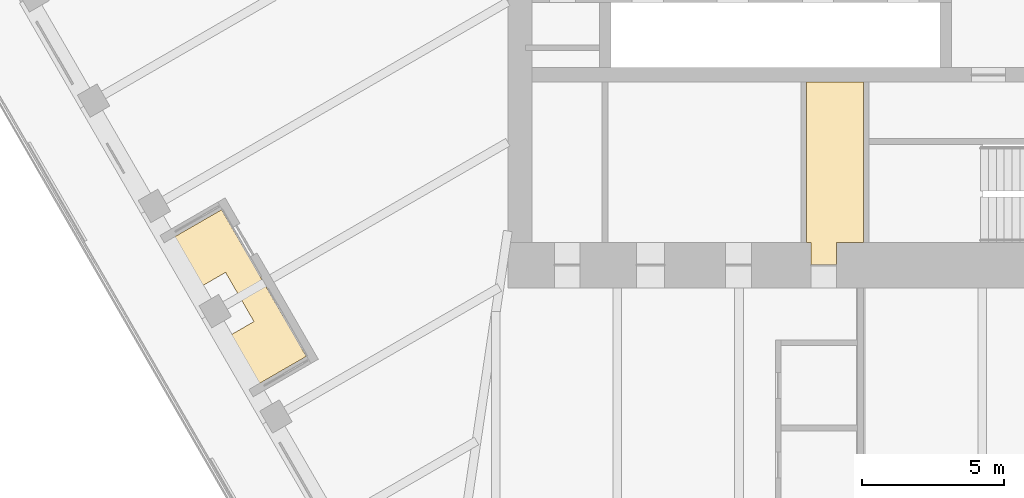
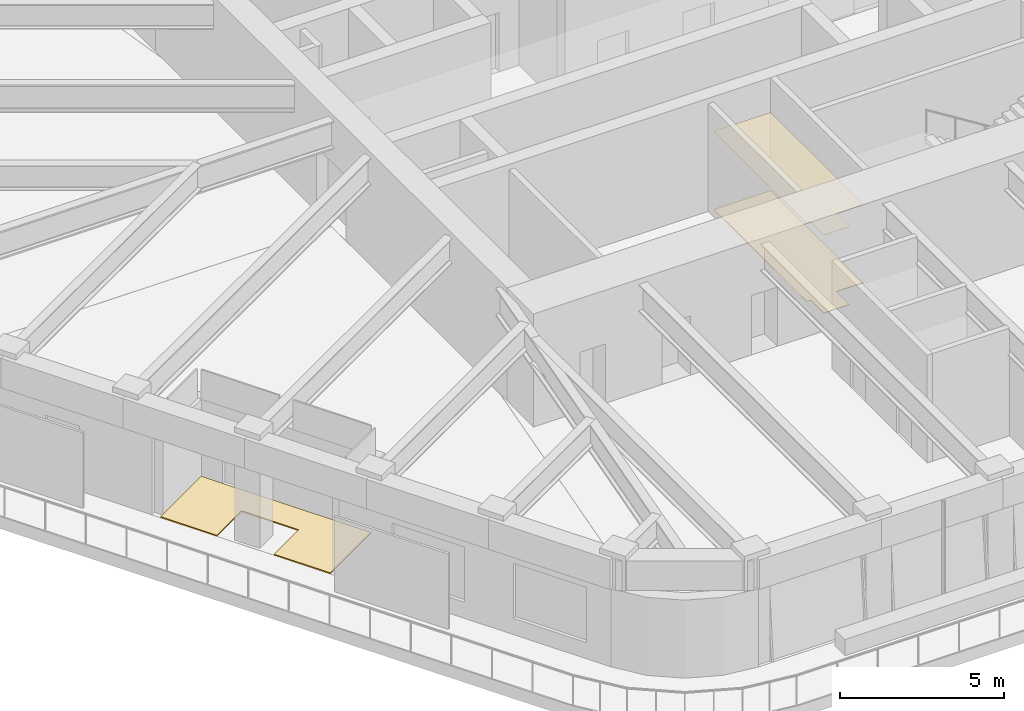
# One storey, part 17 of 19: 3 coverings.
"""IFC4 building model written with IfcOpenShell, lengths in metres."""

from ifc_helpers import new_model, si_unit, direction, frame, origin, place, context, subcontext, project, spatial, polyline, outline, extrude, material, layer, layer_set, type_object, element, save


model = new_model("IFC4")

# Units and contexts
model_context = context("Model", 3, precision=1e-05, world=origin(), true_north=direction((0.0, 1.0)))
body_context = subcontext(model_context, "Body", "Model", "MODEL_VIEW")
ifc_project = project(units=[si_unit("LENGTHUNIT", "METRE"), si_unit("AREAUNIT", "SQUARE_METRE"), si_unit("VOLUMEUNIT", "CUBIC_METRE"), si_unit("PLANEANGLEUNIT", "RADIAN"), si_unit("MASSUNIT", "GRAM", prefix="KILO")], contexts=[model_context])

# Site, building, storey
site_placement = place(None, origin())
site = spatial("IfcSite", under=ifc_project, at=site_placement, CompositionType="ELEMENT")
building_placement = place(site_placement, origin())
building = spatial("IfcBuilding", under=site, at=building_placement, Name="Tarfa Lantern Tower", CompositionType="ELEMENT")
storey_placement = place(building_placement, frame((0.0, 0.0, 370.300048828125)))
storey = spatial("IfcBuildingStorey", under=building, at=storey_placement, Name="L84", CompositionType="ELEMENT", Elevation=370.300048828125)

# Coverings
ifc_material_1 = material(Name="Moisture-resistant plasterboard", Category="finish")
ifc_layer_1 = layer(ifc_material_1, 0.014892578125)
ifc_layer_set_1 = layer_set([ifc_layer_1], Name="CL2 MOISTURE-RESISTANT PLASTERBOARD CEILING 15")
covering_type_1 = type_object("IfcCoveringType", Name="CL2 MOISTURE-RESISTANT PLASTERBOARD CEILING 15", PredefinedType="CEILING", material=ifc_layer_set_1)
covering_1_placement = place(storey_placement, frame((0.0, 0.0, 2.89990234375)))
element("IfcCovering", 1, at=covering_1_placement, inside=storey, type_object=covering_type_1, Name="Ceiling L84-13", PredefinedType="CEILING", context=body_context, shape_type="SweptSolid", body=[
    extrude(outline(polyline([(-0.85009765625, -10.699951171875), (0.10009765625, -10.699951171875), (0.10009765625, -5.050048828125), (-1.89990234375, -5.050048828125), (-1.89990234375, -10.699951171875), (-1.75, -10.699951171875), (-1.75, -11.5), (-1.75, -11.5), (-0.85009765625, -11.5), (-0.85009765625, -10.699951171875)])), origin(), (0.0, 0.0, 1.0), 0.01513671875),
])
ifc_material_2 = material(Name="Porcelain floor tile", Category="finish")
ifc_layer_2 = layer(ifc_material_2, 0.011962890625)
ifc_layer_set_2 = layer_set([ifc_layer_2], Name="FL3 CERAMIC TILE 12")
covering_type_2 = type_object("IfcCoveringType", Name="FL3 CERAMIC TILE 12", PredefinedType="FLOORING", material=ifc_layer_set_2)
covering_2_placement = place(storey_placement, origin())
element("IfcCovering", 2, at=covering_2_placement, inside=storey, type_object=covering_type_2, Name="Floor finish L84-13", PredefinedType="FLOORING", context=body_context, shape_type="SweptSolid", body=[
    extrude(outline(polyline([(-0.85009765625, -10.699951171875), (0.10009765625, -10.699951171875), (0.10009765625, -5.050048828125), (-1.89990234375, -5.050048828125), (-1.89990234375, -10.699951171875), (-1.75, -10.699951171875), (-1.75, -11.5), (-1.75, -11.5), (-0.85009765625, -11.5), (-0.85009765625, -10.699951171875)])), origin(), (0.0, 0.0, 1.0), 0.011962890625),
])
ifc_material_3 = material(Name="Porcelain pavers on pedestals", Category="ceramic")
ifc_layer_3 = layer(ifc_material_3, 0.0400390625)
ifc_layer_set_3 = layer_set([ifc_layer_3], Name="LP1 LOGGIA PAVING 40")
covering_type_3 = type_object("IfcCoveringType", Name="LP1 LOGGIA PAVING 40", PredefinedType="FLOORING", material=ifc_layer_set_3)
covering_3_placement = place(storey_placement, origin())
element("IfcCovering", 3, at=covering_3_placement, inside=storey, type_object=covering_type_3, Name="Terrace paving SW", PredefinedType="FLOORING", context=body_context, shape_type="SweptSolid", body=[
    extrude(outline(polyline([(-24.6572265625, -10.79248046875), (-22.509521484375, -9.552490234375), (-19.52734375, -14.717529296875), (-21.67529296875, -15.95751953125), (-22.666259765625, -14.240966796875), (-21.3671875, -13.490966796875), (-22.3671875, -11.759033203125), (-23.666259765625, -12.509033203125), (-24.6572265625, -10.79248046875)])), origin(), (0.0, 0.0, 1.0), 0.0400390625),
])

save(model, "model.ifc")
